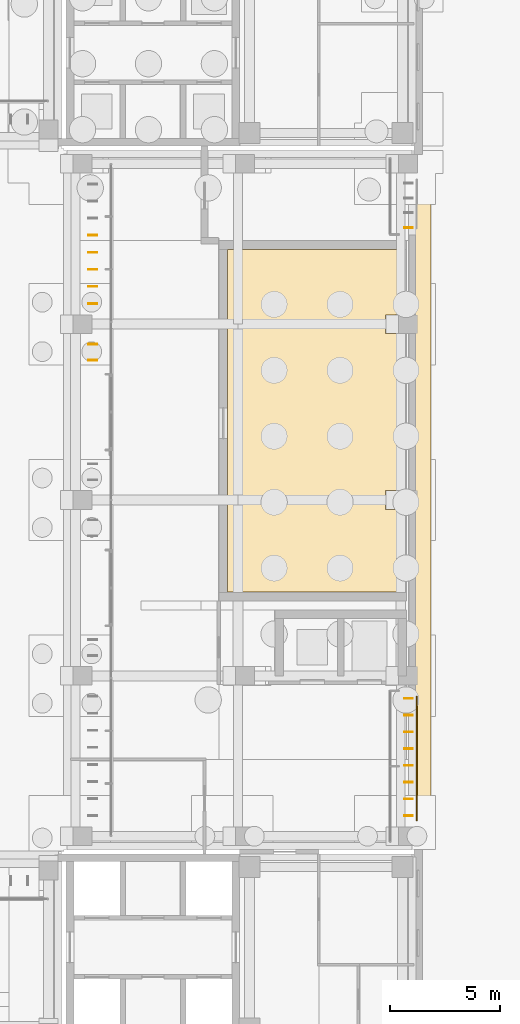
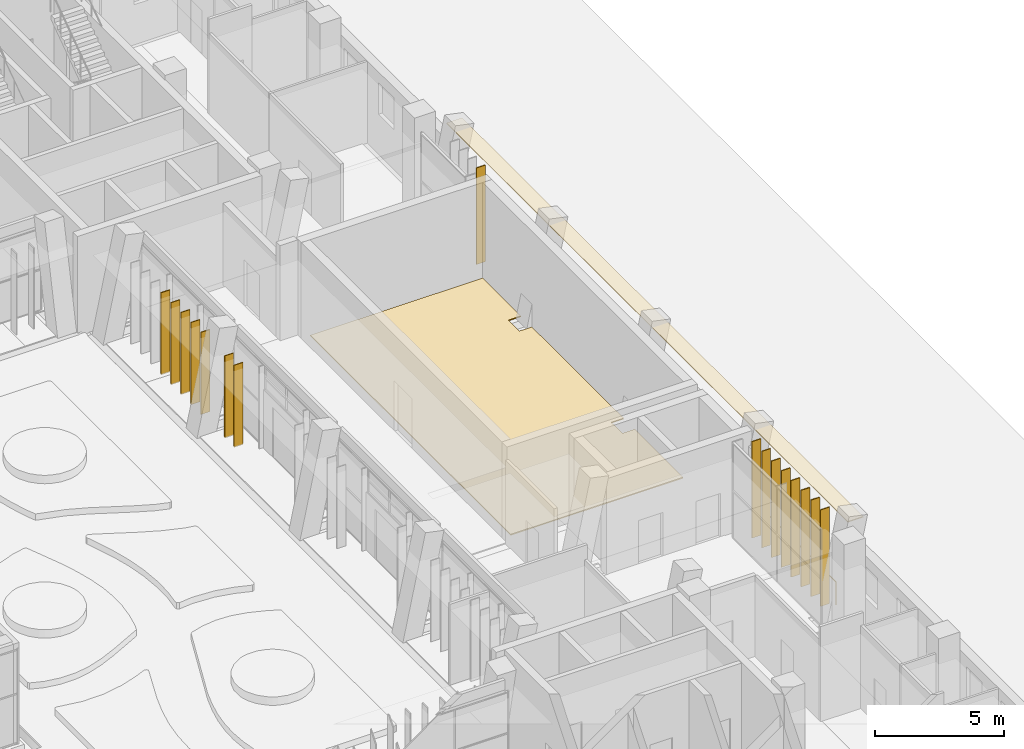
# One storey, part 141 of 144: 16 shading devices, 2 coverings, 1 railing.
"""IFC4 building model written with IfcOpenShell, lengths in metres."""

from ifc_helpers import new_model, si_unit, direction, frame, frame_2d, origin, origin_2d, place, context, subcontext, project, spatial, polyline, rectangle, circle, outline, extrude, material, layer, layer_set, type_object, element, save


model = new_model("IFC4")

# Units and contexts
model_context = context("Model", 3, precision=1e-05, world=origin(), true_north=direction((0.0, 1.0)))
body_context = subcontext(model_context, "Body", "Model", "MODEL_VIEW")
ifc_project = project(units=[si_unit("LENGTHUNIT", "METRE"), si_unit("AREAUNIT", "SQUARE_METRE"), si_unit("VOLUMEUNIT", "CUBIC_METRE"), si_unit("PLANEANGLEUNIT", "RADIAN"), si_unit("MASSUNIT", "GRAM", prefix="KILO")], contexts=[model_context])

# Site, building, storey
site_placement = place(None, origin())
site = spatial("IfcSite", under=ifc_project, at=site_placement, CompositionType="ELEMENT")
building_placement = place(site_placement, origin())
building = spatial("IfcBuilding", under=site, at=building_placement, Name="Lantern Court Media Centre", CompositionType="ELEMENT")
storey_placement = place(building_placement, origin())
storey = spatial("IfcBuildingStorey", under=building, at=storey_placement, Name="L00", CompositionType="ELEMENT", Elevation=0.0)

# Covering
ifc_material_1 = material(Name="Carpet")
ifc_layer_1 = layer(ifc_material_1, 0.050048828125)
ifc_layer_set_1 = layer_set([ifc_layer_1], Name="Carpet")
covering_type_1 = type_object("IfcCoveringType", Name="Carpet floor finish", PredefinedType="FLOORING", material=ifc_layer_set_1)
covering_1_placement = place(storey_placement, origin())
element("IfcCovering", 1, at=covering_1_placement, inside=storey, type_object=covering_type_1, Name="Broadcast Studio C floor finish", PredefinedType="FLOORING", context=body_context, shape_type="SweptSolid", body=[
    extrude(outline(polyline([(95.195068359375, 75.804931640625), (87.455078125, 75.804931640625), (87.455078125, 91.39501953125), (95.195068359375, 91.39501953125), (95.195068359375, 88.429931640625), (94.63671875, 88.425048828125), (94.637451171875, 87.572265625), (95.195068359375, 87.570068359375), (95.195068359375, 80.429931640625), (94.63671875, 80.425048828125), (94.637451171875, 79.572265625), (95.195068359375, 79.570068359375), (95.195068359375, 75.804931640625)])), origin(), (0.0, 0.0, 1.0), 0.050048828125),
])

# Railing
ifc_material_2 = material(Name="Powder-coated steel", Category="steel")
railing_type = type_object("IfcRailingType", Name="Floor edge guard 1100", PredefinedType="GUARDRAIL", material=ifc_material_2)
railing_placement = place(storey_placement, frame((96.06005859375, 65.425048828125, 0.0)))
element("IfcRailing", 2, at=railing_placement, inside=storey, type_object=railing_type, Name="L00 opening guard 17", PredefinedType="GUARDRAIL", context=body_context, shape_type="SweptSolid", body=[
    extrude(circle(Radius=0.02392578125, at=origin_2d()), frame((0.0, 0.0, 1.076171875), z_axis=(0.0, 1.0, 0.0), x_axis=(-1.0, 0.0, 0.0)), (0.0, 0.0, 1.0), 5.625),
    extrude(circle(Radius=0.02099609375, at=origin_2d()), origin(), (0.0, 0.0, 1.0), 1.052001953125),
    extrude(circle(Radius=0.02099609375, at=origin_2d()), frame((0.0, 1.125, 0.0)), (0.0, 0.0, 1.0), 1.052001953125),
    extrude(circle(Radius=0.02099609375, at=origin_2d()), frame((0.0, 2.25, 0.0)), (0.0, 0.0, 1.0), 1.052001953125),
    extrude(circle(Radius=0.02099609375, at=origin_2d()), frame((0.0, 3.375, 0.0)), (0.0, 0.0, 1.0), 1.052001953125),
    extrude(circle(Radius=0.02099609375, at=origin_2d()), frame((0.0, 4.5, 0.0)), (0.0, 0.0, 1.0), 1.052001953125),
    extrude(circle(Radius=0.02099609375, at=origin_2d()), frame((0.0, 5.625, 0.0)), (0.0, 0.0, 1.0), 1.052001953125),
])

# Covering
ifc_material_3 = material(Name="White fibre cement soffit board")
ifc_layer_2 = layer(ifc_material_3, 0.0400390625)
ifc_layer_set_2 = layer_set([ifc_layer_2], Name="White fibre cement soffit board")
covering_type_2 = type_object("IfcCoveringType", Name="Soffit lining 40", PredefinedType="CLADDING", material=ifc_layer_set_2)
covering_2_placement = place(storey_placement, frame((96.35009765625, 64.39990234375, 4.5400390625), z_axis=(0.0, 0.0, 1.0), x_axis=(0.0, 1.0, 0.0)))
element("IfcCovering", 3, at=covering_2_placement, inside=storey, type_object=covering_type_2, Name="Soffit lining E L00", PredefinedType="CLADDING", context=body_context, shape_type="SweptSolid", body=[
    extrude(rectangle(XDim=31.2001953125, YDim=0.699951171875, at=frame_2d((15.60009765625, 0.0))), origin(), (0.0, 0.0, 1.0), 0.0400390625),
])

# Shading devices
ifc_material_4 = material(Name="Bronze anodised aluminium louvre", Category="aluminium")
ifc_layer_3 = layer(ifc_material_4, 0.0400390625)
ifc_layer_set_3 = layer_set([ifc_layer_3], Name="Bronze anodised aluminium louvre")
shading_device_type_1 = type_object("IfcShadingDeviceType", Name="Vertical louvre 40x400 full storey", PredefinedType="USERDEFINED", material=ifc_layer_set_3)
for number, where, z_axis, x_axis, name in (
    (4, (95.679931640625, 65.63134765625, 0.0), (0.0, 0.0, 1.0), (1.0, 0.0, 0.0), "Vertical louvre E outer L00"),
    (5, (95.679931640625, 66.393798828125, 0.0), (0.0, 0.0, 1.0), (1.0, 0.0, 0.0), "Vertical louvre E outer L00"),
    (6, (95.679931640625, 67.15625, 0.0), (0.0, 0.0, 1.0), (1.0, 0.0, 0.0), "Vertical louvre E outer L00"),
    (7, (95.679931640625, 67.918701171875, 0.0), (0.0, 0.0, 1.0), (1.0, 0.0, 0.0), "Vertical louvre E outer L00"),
    (8, (95.679931640625, 68.68115234375, 0.0), (0.0, 0.0, 1.0), (1.0, 0.0, 0.0), "Vertical louvre E outer L00"),
    (9, (95.679931640625, 69.44384765625, 0.0), (0.0, 0.0, 1.0), (1.0, 0.0, 0.0), "Vertical louvre E outer L00"),
    (10, (95.679931640625, 70.206298828125, 0.0), (0.0, 0.0, 1.0), (1.0, 0.0, 0.0), "Vertical louvre E outer L00"),
    (11, (95.679931640625, 70.96875, 0.0), (0.0, 0.0, 1.0), (1.0, 0.0, 0.0), "Vertical louvre E outer L00"),
    (12, (95.679931640625, 92.387451171875, 0.0), (0.0, 0.0, 1.0), (1.0, 0.0, 0.0), "Vertical louvre E outer L00"),
):
    element("IfcShadingDevice", number, at=place(storey_placement, frame(where, z_axis=z_axis, x_axis=x_axis)), inside=storey, type_object=shading_device_type_1, Name=name, ObjectType="VERTICAL LOUVRE", PredefinedType="USERDEFINED", context=body_context, shape_type="SweptSolid", body=[
        extrude(rectangle(XDim=0.39990234375, YDim=0.0400390625, at=origin_2d()), origin(), (0.0, 0.0, 1.0), 4.580078125),
    ])
ifc_layer_4 = layer(ifc_material_4, 0.0400390625)
ifc_layer_set_4 = layer_set([ifc_layer_4], Name="Bronze anodised aluminium louvre")
shading_device_type_2 = type_object("IfcShadingDeviceType", Name="Vertical louvre 40x400 under beam", PredefinedType="USERDEFINED", material=ifc_layer_set_4)
for number, where, z_axis, x_axis, name in (
    (13, (81.320068359375, 86.362548828125, 0.0), (0.0, 0.0, 1.0), (1.0, 0.0, 0.0), "Vertical louvre E inner L00"),
    (14, (81.320068359375, 87.08740234375, 0.0), (0.0, 0.0, 1.0), (1.0, 0.0, 0.0), "Vertical louvre E inner L00"),
    (15, (81.320068359375, 88.9375, 0.0), (0.0, 0.0, 1.0), (1.0, 0.0, 0.0), "Vertical louvre E inner L00"),
    (16, (81.320068359375, 89.71240234375, 0.0), (0.0, 0.0, 1.0), (1.0, 0.0, 0.0), "Vertical louvre E inner L00"),
    (17, (81.320068359375, 90.487548828125, 0.0), (0.0, 0.0, 1.0), (1.0, 0.0, 0.0), "Vertical louvre E inner L00"),
    (18, (81.320068359375, 91.262451171875, 0.0), (0.0, 0.0, 1.0), (1.0, 0.0, 0.0), "Vertical louvre E inner L00"),
    (19, (81.320068359375, 92.03759765625, 0.0), (0.0, 0.0, 1.0), (1.0, 0.0, 0.0), "Vertical louvre E inner L00"),
):
    element("IfcShadingDevice", number, at=place(storey_placement, frame(where, z_axis=z_axis, x_axis=x_axis)), inside=storey, type_object=shading_device_type_2, Name=name, ObjectType="VERTICAL LOUVRE", PredefinedType="USERDEFINED", context=body_context, shape_type="SweptSolid", body=[
        extrude(rectangle(XDim=0.39990234375, YDim=0.0400390625, at=origin_2d()), origin(), (0.0, 0.0, 1.0), 3.89990234375),
    ])

save(model, "model.ifc")
